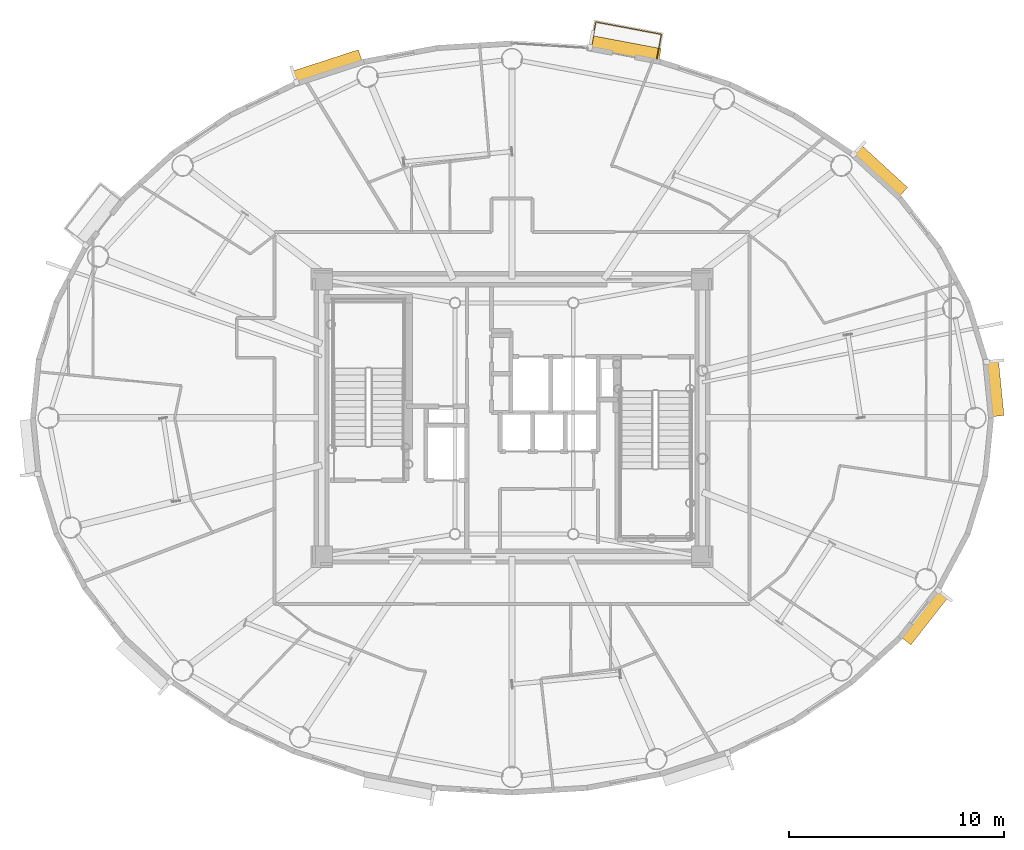
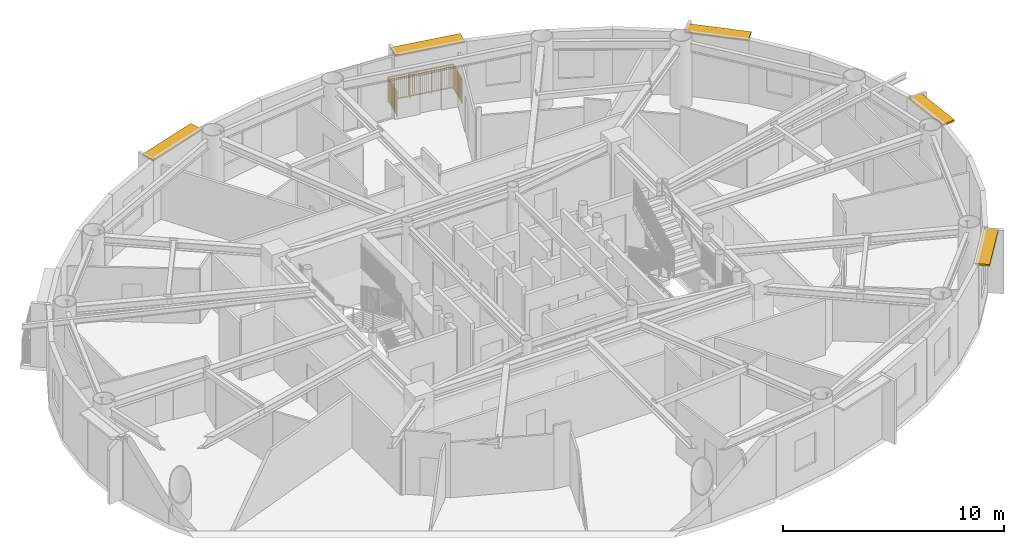
# One storey, part 18 of 18: 5 shading devices, 1 railing.
"""IFC4 building model written with IfcOpenShell, lengths in metres."""

from ifc_helpers import new_model, si_unit, direction, frame, origin, origin_2d, place, context, subcontext, project, spatial, rectangle, extrude, source, transform, mapped, material, layer, layer_set, type_object, element, save


model = new_model("IFC4")

# Units and contexts
model_context = context("Model", 3, precision=1e-05, world=origin(), true_north=direction((0.0, 1.0)))
body_context = subcontext(model_context, "Body", "Model", "MODEL_VIEW")
ifc_project = project(units=[si_unit("LENGTHUNIT", "METRE"), si_unit("AREAUNIT", "SQUARE_METRE"), si_unit("VOLUMEUNIT", "CUBIC_METRE"), si_unit("PLANEANGLEUNIT", "RADIAN"), si_unit("MASSUNIT", "GRAM", prefix="KILO")], contexts=[model_context])

# Site, building, storey
site_placement = place(None, origin())
site = spatial("IfcSite", under=ifc_project, at=site_placement, CompositionType="ELEMENT")
building_placement = place(site_placement, origin())
building = spatial("IfcBuilding", under=site, at=building_placement, Name="Linh Dai School and Residence Tower", CompositionType="ELEMENT")
storey_placement = place(building_placement, frame((0.0, 0.0, 291.75)))
storey = spatial("IfcBuildingStorey", under=building, at=storey_placement, Name="L72", CompositionType="ELEMENT", Elevation=291.75)

# Shading devices
ifc_material_1 = material(Name="Terracotta Ceramic Sunshade", Category="masonry")
ifc_layer = layer(ifc_material_1, 0.10009765625)
ifc_layer_set = layer_set([ifc_layer], Name="Terracotta Ceramic Sunshade")
shading_device_type = type_object("IfcShadingDeviceType", Name="SHD-TC-650", PredefinedType="USERDEFINED", material=ifc_layer_set)
shared_shape_1 = source(origin(), body_context, "Body", "SweptSolid", [
    extrude(rectangle(XDim=2.62353515625, YDim=0.64990234375, at=origin_2d()), origin(), (0.0, 0.0, 1.0), 0.10009765625),
])
shading_device_1_placement = place(storey_placement, frame((58.421875, 28.387939453125, 3.3798828125), z_axis=(0.0, 0.0, 1.0), x_axis=(0.100008034283, -0.994986629598, 0.0)))
element("IfcShadingDevice", 1, at=shading_device_1_placement, inside=storey, type_object=shading_device_type, Name="L72 Terracotta Horizontal Sunshade Band 01", ObjectType="SUNSHADE", PredefinedType="USERDEFINED", context=body_context, shape_type="MappedRepresentation", body=[
    mapped(shared_shape_1, transform((0.0, 0.0, 0.0), x_axis=(1.0, 0.0, 0.0), y_axis=(0.0, 1.0, 0.0), z_axis=(0.0, 0.0, 1.0), scale=1.0)),
])
shared_shape_2 = source(origin(), body_context, "Body", "SweptSolid", [
    extrude(rectangle(XDim=2.9541015625, YDim=0.64990234375, at=origin_2d()), origin(), (0.0, 0.0, 1.0), 0.10009765625),
])
shading_device_2_placement = place(storey_placement, frame((53.0888671875, 38.474609375, 3.3798828125), z_axis=(0.0, 0.0, 1.0), x_axis=(0.737105846394, -0.67577730889, 0.0)))
element("IfcShadingDevice", 2, at=shading_device_2_placement, inside=storey, type_object=shading_device_type, Name="L72 Terracotta Horizontal Sunshade Band 05", ObjectType="SUNSHADE", PredefinedType="USERDEFINED", context=body_context, shape_type="MappedRepresentation", body=[
    mapped(shared_shape_2, transform((0.0, 0.0, 0.0), x_axis=(1.0, 0.0, 0.0), y_axis=(0.0, 1.0, 0.0), z_axis=(0.0, 0.0, 1.0), scale=1.0)),
])
shared_shape_3 = source(origin(), body_context, "Body", "SweptSolid", [
    extrude(rectangle(XDim=3.323486328125, YDim=0.64990234375, at=origin_2d()), origin(), (0.0, 0.0, 1.0), 0.10009765625),
])
shading_device_3_placement = place(storey_placement, frame((41.24267578125, 44.160400390625, 3.3798828125), z_axis=(0.0, 0.0, 1.0), x_axis=(0.982785325002, -0.184751197452, 0.0)))
element("IfcShadingDevice", 3, at=shading_device_3_placement, inside=storey, type_object=shading_device_type, Name="L72 Terracotta Horizontal Sunshade Band 09", ObjectType="SUNSHADE", PredefinedType="USERDEFINED", context=body_context, shape_type="MappedRepresentation", body=[
    mapped(shared_shape_3, transform((0.0, 0.0, 0.0), x_axis=(1.0, 0.0, 0.0), y_axis=(0.0, 1.0, 0.0), z_axis=(0.0, 0.0, 1.0), scale=1.0)),
])
shared_shape_4 = source(origin(), body_context, "Body", "SweptSolid", [
    extrude(rectangle(XDim=3.26171875, YDim=0.64990234375, at=origin_2d()), origin(), (0.0, 0.0, 1.0), 0.10009765625),
])
shading_device_4_placement = place(storey_placement, frame((27.405029296875, 43.307373046875, 3.3798828125), z_axis=(0.0, 0.0, 1.0), x_axis=(0.951218243545, 0.308518805176, 0.0)))
element("IfcShadingDevice", 4, at=shading_device_4_placement, inside=storey, type_object=shading_device_type, Name="L72 Terracotta Horizontal Sunshade Band 13", ObjectType="SUNSHADE", PredefinedType="USERDEFINED", context=body_context, shape_type="MappedRepresentation", body=[
    mapped(shared_shape_4, transform((0.0, 0.0, 0.0), x_axis=(1.0, 0.0, 0.0), y_axis=(0.0, 1.0, 0.0), z_axis=(0.0, 0.0, 1.0), scale=1.0)),
])
shared_shape_5 = source(origin(), body_context, "Body", "SweptSolid", [
    extrude(rectangle(XDim=2.84033203125, YDim=0.64990234375, at=origin_2d()), origin(), (0.0, 0.0, 1.0), 0.10009765625),
])
shading_device_5_placement = place(storey_placement, frame((55.16650390625, 17.7646484375, 3.3798828125), z_axis=(0.0, 0.0, 1.0), x_axis=(-0.616310813471, -0.78750300393, 0.0)))
element("IfcShadingDevice", 5, at=shading_device_5_placement, inside=storey, type_object=shading_device_type, Name="L72 Terracotta Horizontal Sunshade Band 37", ObjectType="SUNSHADE", PredefinedType="USERDEFINED", context=body_context, shape_type="MappedRepresentation", body=[
    mapped(shared_shape_5, transform((0.0, 0.0, 0.0), x_axis=(1.0, 0.0, 0.0), y_axis=(0.0, 1.0, 0.0), z_axis=(0.0, 0.0, 1.0), scale=1.0)),
])

# Railing
ifc_material_2 = material(Name="Structural Steel S355JR", Category="steel")
railing_type = type_object("IfcRailingType", Name="RL-BAL-1400", PredefinedType="BALUSTRADE", material=ifc_material_2)
shared_shape_6 = source(origin(), body_context, "Body", "SweptSolid", [
    extrude(rectangle(XDim=0.048095703125, YDim=0.048095703125, at=origin_2d()), frame((0.0, 0.0, 1.3759765625), z_axis=(0.18476321632, 0.982783065531, 0.0), x_axis=(-0.982783065531, 0.18476321632, 0.0)), (0.0, 0.0, 1.0), 1.179931640625),
    extrude(rectangle(XDim=0.048095703125, YDim=0.048095703125, at=origin_2d()), frame((0.0, 0.0, 0.10009765625), z_axis=(0.18476321632, 0.982783065531, 0.0), x_axis=(-0.982783065531, 0.18476321632, 0.0)), (0.0, 0.0, 1.0), 1.179931640625),
    extrude(rectangle(XDim=0.030029296875, YDim=0.030029296875, at=origin_2d()), frame((0.0, 0.0, 1.239990234375), z_axis=(0.18476321632, 0.982783065531, 0.0), x_axis=(-0.982783065531, 0.18476321632, 0.0)), (0.0, 0.0, 1.0), 1.179931640625),
    extrude(rectangle(XDim=0.02001953125, YDim=0.02001953125, at=origin_2d()), frame((0.016845703125, 0.089111328125, 0.10009765625)), (0.0, 0.0, 1.0), 1.251708984375),
    extrude(rectangle(XDim=0.02001953125, YDim=0.02001953125, at=origin_2d()), frame((0.033447265625, 0.178466796875, 0.10009765625)), (0.0, 0.0, 1.0), 1.251708984375),
    extrude(rectangle(XDim=0.02001953125, YDim=0.02001953125, at=origin_2d()), frame((0.05029296875, 0.267578125, 0.10009765625)), (0.0, 0.0, 1.0), 1.251708984375),
    extrude(rectangle(XDim=0.02001953125, YDim=0.02001953125, at=origin_2d()), frame((0.067138671875, 0.35693359375, 0.10009765625)), (0.0, 0.0, 1.0), 1.251708984375),
    extrude(rectangle(XDim=0.02001953125, YDim=0.02001953125, at=origin_2d()), frame((0.083740234375, 0.446044921875, 0.10009765625)), (0.0, 0.0, 1.0), 1.251708984375),
    extrude(rectangle(XDim=0.02001953125, YDim=0.02001953125, at=origin_2d()), frame((0.1005859375, 0.53515625, 0.10009765625)), (0.0, 0.0, 1.0), 1.251708984375),
    extrude(rectangle(XDim=0.02001953125, YDim=0.02001953125, at=origin_2d()), frame((0.117431640625, 0.62451171875, 0.10009765625)), (0.0, 0.0, 1.0), 1.251708984375),
    extrude(rectangle(XDim=0.02001953125, YDim=0.02001953125, at=origin_2d()), frame((0.13427734375, 0.713623046875, 0.10009765625)), (0.0, 0.0, 1.0), 1.251708984375),
    extrude(rectangle(XDim=0.02001953125, YDim=0.02001953125, at=origin_2d()), frame((0.15087890625, 0.802734375, 0.10009765625)), (0.0, 0.0, 1.0), 1.251708984375),
    extrude(rectangle(XDim=0.02001953125, YDim=0.02001953125, at=origin_2d()), frame((0.167724609375, 0.89208984375, 0.10009765625)), (0.0, 0.0, 1.0), 1.251708984375),
    extrude(rectangle(XDim=0.02001953125, YDim=0.02001953125, at=origin_2d()), frame((0.1845703125, 0.981201171875, 0.10009765625)), (0.0, 0.0, 1.0), 1.251708984375),
    extrude(rectangle(XDim=0.02001953125, YDim=0.02001953125, at=origin_2d()), frame((0.201171875, 1.070556640625, 0.10009765625)), (0.0, 0.0, 1.0), 1.251708984375),
    extrude(rectangle(XDim=0.048095703125, YDim=0.048095703125, at=origin_2d()), frame((0.218017578125, 1.15966796875, 1.3759765625), z_axis=(0.982791010668, -0.184720949951, 0.0), x_axis=(0.184720949951, 0.982791010668, 0.0)), (0.0, 0.0, 1.0), 3.10205078125),
    extrude(rectangle(XDim=0.048095703125, YDim=0.048095703125, at=origin_2d()), frame((0.218017578125, 1.15966796875, 0.10009765625), z_axis=(0.982791010668, -0.184720949951, 0.0), x_axis=(0.184720949951, 0.982791010668, 0.0)), (0.0, 0.0, 1.0), 3.10205078125),
    extrude(rectangle(XDim=0.030029296875, YDim=0.030029296875, at=origin_2d()), frame((0.218017578125, 1.15966796875, 1.239990234375), z_axis=(0.982791010668, -0.184720949951, 0.0), x_axis=(0.184720949951, 0.982791010668, 0.0)), (0.0, 0.0, 1.0), 3.10205078125),
    extrude(rectangle(XDim=0.02001953125, YDim=0.02001953125, at=origin_2d()), frame((0.313232421875, 1.141845703125, 0.10009765625)), (0.0, 0.0, 1.0), 1.251708984375),
    extrude(rectangle(XDim=0.02001953125, YDim=0.02001953125, at=origin_2d()), frame((0.408447265625, 1.123779296875, 0.10009765625)), (0.0, 0.0, 1.0), 1.251708984375),
    extrude(rectangle(XDim=0.02001953125, YDim=0.02001953125, at=origin_2d()), frame((0.50390625, 1.10595703125, 0.10009765625)), (0.0, 0.0, 1.0), 1.251708984375),
    extrude(rectangle(XDim=0.02001953125, YDim=0.02001953125, at=origin_2d()), frame((0.59912109375, 1.088134765625, 0.10009765625)), (0.0, 0.0, 1.0), 1.251708984375),
    extrude(rectangle(XDim=0.02001953125, YDim=0.02001953125, at=origin_2d()), frame((0.6943359375, 1.070068359375, 0.10009765625)), (0.0, 0.0, 1.0), 1.251708984375),
    extrude(rectangle(XDim=0.02001953125, YDim=0.02001953125, at=origin_2d()), frame((0.78955078125, 1.05224609375, 0.10009765625)), (0.0, 0.0, 1.0), 1.251708984375),
    extrude(rectangle(XDim=0.02001953125, YDim=0.02001953125, at=origin_2d()), frame((0.885009765625, 1.034423828125, 0.10009765625)), (0.0, 0.0, 1.0), 1.251708984375),
    extrude(rectangle(XDim=0.02001953125, YDim=0.02001953125, at=origin_2d()), frame((0.980224609375, 1.016357421875, 0.10009765625)), (0.0, 0.0, 1.0), 1.251708984375),
    extrude(rectangle(XDim=0.02001953125, YDim=0.02001953125, at=origin_2d()), frame((1.075439453125, 0.99853515625, 0.10009765625)), (0.0, 0.0, 1.0), 1.251708984375),
    extrude(rectangle(XDim=0.02001953125, YDim=0.02001953125, at=origin_2d()), frame((1.170654296875, 0.980712890625, 0.10009765625)), (0.0, 0.0, 1.0), 1.251708984375),
    extrude(rectangle(XDim=0.02001953125, YDim=0.02001953125, at=origin_2d()), frame((1.361328125, 0.94482421875, 0.10009765625)), (0.0, 0.0, 1.0), 1.251708984375),
    extrude(rectangle(XDim=0.02001953125, YDim=0.02001953125, at=origin_2d()), frame((1.45654296875, 0.927001953125, 0.10009765625)), (0.0, 0.0, 1.0), 1.251708984375),
    extrude(rectangle(XDim=0.02001953125, YDim=0.02001953125, at=origin_2d()), frame((1.5517578125, 0.908935546875, 0.10009765625)), (0.0, 0.0, 1.0), 1.251708984375),
    extrude(rectangle(XDim=0.02001953125, YDim=0.02001953125, at=origin_2d()), frame((1.64697265625, 0.89111328125, 0.10009765625)), (0.0, 0.0, 1.0), 1.251708984375),
    extrude(rectangle(XDim=0.02001953125, YDim=0.02001953125, at=origin_2d()), frame((1.7421875, 0.873046875, 0.10009765625)), (0.0, 0.0, 1.0), 1.251708984375),
    extrude(rectangle(XDim=0.02001953125, YDim=0.02001953125, at=origin_2d()), frame((1.837646484375, 0.855224609375, 0.10009765625)), (0.0, 0.0, 1.0), 1.251708984375),
    extrude(rectangle(XDim=0.02001953125, YDim=0.02001953125, at=origin_2d()), frame((1.932861328125, 0.83740234375, 0.10009765625)), (0.0, 0.0, 1.0), 1.251708984375),
    extrude(rectangle(XDim=0.02001953125, YDim=0.02001953125, at=origin_2d()), frame((2.028076171875, 0.8193359375, 0.10009765625)), (0.0, 0.0, 1.0), 1.251708984375),
    extrude(rectangle(XDim=0.02001953125, YDim=0.02001953125, at=origin_2d()), frame((2.123291015625, 0.801513671875, 0.10009765625)), (0.0, 0.0, 1.0), 1.251708984375),
    extrude(rectangle(XDim=0.02001953125, YDim=0.02001953125, at=origin_2d()), frame((2.31396484375, 0.765625, 0.10009765625)), (0.0, 0.0, 1.0), 1.251708984375),
    extrude(rectangle(XDim=0.02001953125, YDim=0.02001953125, at=origin_2d()), frame((2.4091796875, 0.747802734375, 0.10009765625)), (0.0, 0.0, 1.0), 1.251708984375),
    extrude(rectangle(XDim=0.02001953125, YDim=0.02001953125, at=origin_2d()), frame((2.50439453125, 0.72998046875, 0.10009765625)), (0.0, 0.0, 1.0), 1.251708984375),
    extrude(rectangle(XDim=0.02001953125, YDim=0.02001953125, at=origin_2d()), frame((2.599609375, 0.7119140625, 0.10009765625)), (0.0, 0.0, 1.0), 1.251708984375),
    extrude(rectangle(XDim=0.02001953125, YDim=0.02001953125, at=origin_2d()), frame((2.695068359375, 0.694091796875, 0.10009765625)), (0.0, 0.0, 1.0), 1.251708984375),
    extrude(rectangle(XDim=0.02001953125, YDim=0.02001953125, at=origin_2d()), frame((2.790283203125, 0.67626953125, 0.10009765625)), (0.0, 0.0, 1.0), 1.251708984375),
    extrude(rectangle(XDim=0.02001953125, YDim=0.02001953125, at=origin_2d()), frame((2.885498046875, 0.658203125, 0.10009765625)), (0.0, 0.0, 1.0), 1.251708984375),
    extrude(rectangle(XDim=0.02001953125, YDim=0.02001953125, at=origin_2d()), frame((2.980712890625, 0.640380859375, 0.10009765625)), (0.0, 0.0, 1.0), 1.251708984375),
    extrude(rectangle(XDim=0.02001953125, YDim=0.02001953125, at=origin_2d()), frame((3.076171875, 0.62255859375, 0.10009765625)), (0.0, 0.0, 1.0), 1.251708984375),
    extrude(rectangle(XDim=0.02001953125, YDim=0.02001953125, at=origin_2d()), frame((3.17138671875, 0.6044921875, 0.10009765625)), (0.0, 0.0, 1.0), 1.251708984375),
    extrude(rectangle(XDim=0.048095703125, YDim=0.048095703125, at=origin_2d()), frame((3.2666015625, 0.586669921875, 1.3759765625), z_axis=(-0.18476321632, -0.982783065531, 0.0), x_axis=(0.982783065531, -0.18476321632, 0.0)), (0.0, 0.0, 1.0), 1.179931640625),
    extrude(rectangle(XDim=0.048095703125, YDim=0.048095703125, at=origin_2d()), frame((3.2666015625, 0.586669921875, 0.10009765625), z_axis=(-0.18476321632, -0.982783065531, 0.0), x_axis=(0.982783065531, -0.18476321632, 0.0)), (0.0, 0.0, 1.0), 1.179931640625),
    extrude(rectangle(XDim=0.030029296875, YDim=0.030029296875, at=origin_2d()), frame((3.2666015625, 0.586669921875, 1.239990234375), z_axis=(-0.18476321632, -0.982783065531, 0.0), x_axis=(0.982783065531, -0.18476321632, 0.0)), (0.0, 0.0, 1.0), 1.179931640625),
    extrude(rectangle(XDim=0.02001953125, YDim=0.02001953125, at=origin_2d()), frame((3.249755859375, 0.49755859375, 0.10009765625)), (0.0, 0.0, 1.0), 1.251708984375),
    extrude(rectangle(XDim=0.02001953125, YDim=0.02001953125, at=origin_2d()), frame((3.233154296875, 0.408203125, 0.10009765625)), (0.0, 0.0, 1.0), 1.251708984375),
    extrude(rectangle(XDim=0.02001953125, YDim=0.02001953125, at=origin_2d()), frame((3.21630859375, 0.319091796875, 0.10009765625)), (0.0, 0.0, 1.0), 1.251708984375),
    extrude(rectangle(XDim=0.02001953125, YDim=0.02001953125, at=origin_2d()), frame((3.199462890625, 0.229736328125, 0.10009765625)), (0.0, 0.0, 1.0), 1.251708984375),
    extrude(rectangle(XDim=0.02001953125, YDim=0.02001953125, at=origin_2d()), frame((3.182861328125, 0.140625, 0.10009765625)), (0.0, 0.0, 1.0), 1.251708984375),
    extrude(rectangle(XDim=0.02001953125, YDim=0.02001953125, at=origin_2d()), frame((3.166015625, 0.051513671875, 0.10009765625)), (0.0, 0.0, 1.0), 1.251708984375),
    extrude(rectangle(XDim=0.02001953125, YDim=0.02001953125, at=origin_2d()), frame((3.149169921875, -0.037841796875, 0.10009765625)), (0.0, 0.0, 1.0), 1.251708984375),
    extrude(rectangle(XDim=0.02001953125, YDim=0.02001953125, at=origin_2d()), frame((3.13232421875, -0.126953125, 0.10009765625)), (0.0, 0.0, 1.0), 1.251708984375),
    extrude(rectangle(XDim=0.02001953125, YDim=0.02001953125, at=origin_2d()), frame((3.11572265625, -0.216064453125, 0.10009765625)), (0.0, 0.0, 1.0), 1.251708984375),
    extrude(rectangle(XDim=0.02001953125, YDim=0.02001953125, at=origin_2d()), frame((3.098876953125, -0.305419921875, 0.10009765625)), (0.0, 0.0, 1.0), 1.251708984375),
    extrude(rectangle(XDim=0.02001953125, YDim=0.02001953125, at=origin_2d()), frame((3.08203125, -0.39453125, 0.10009765625)), (0.0, 0.0, 1.0), 1.251708984375),
    extrude(rectangle(XDim=0.02001953125, YDim=0.02001953125, at=origin_2d()), frame((3.0654296875, -0.48388671875, 0.10009765625)), (0.0, 0.0, 1.0), 1.251708984375),
    extrude(rectangle(XDim=0.0419921875, YDim=0.0419921875, at=origin_2d()), origin(), (0.0, 0.0, 1.0), 1.3759765625),
    extrude(rectangle(XDim=0.0419921875, YDim=0.0419921875, at=origin_2d()), frame((0.218017578125, 1.15966796875, 0.0)), (0.0, 0.0, 1.0), 1.3759765625),
    extrude(rectangle(XDim=0.0419921875, YDim=0.0419921875, at=origin_2d()), frame((1.234130859375, 0.96875, 0.0)), (0.0, 0.0, 1.0), 1.3759765625),
    extrude(rectangle(XDim=0.0419921875, YDim=0.0419921875, at=origin_2d()), frame((2.25048828125, 0.777587890625, 0.0)), (0.0, 0.0, 1.0), 1.3759765625),
    extrude(rectangle(XDim=0.0419921875, YDim=0.0419921875, at=origin_2d()), frame((3.2666015625, 0.586669921875, 0.0)), (0.0, 0.0, 1.0), 1.3759765625),
    extrude(rectangle(XDim=0.0419921875, YDim=0.0419921875, at=origin_2d()), frame((3.048583984375, -0.572998046875, 0.0)), (0.0, 0.0, 1.0), 1.3759765625),
])
railing_placement = place(storey_placement, frame((39.681396484375, 44.250244140625, 0.0)))
element("IfcRailing", 6, at=railing_placement, inside=storey, type_object=railing_type, Name="L72 Balcony Safety Balustrade 09", PredefinedType="BALUSTRADE", context=body_context, shape_type="MappedRepresentation", body=[
    mapped(shared_shape_6, transform((0.0, 0.0, 0.0), x_axis=(1.0, 0.0, 0.0), y_axis=(0.0, 1.0, 0.0), z_axis=(0.0, 0.0, 1.0), scale=1.0)),
])

save(model, "model.ifc")
